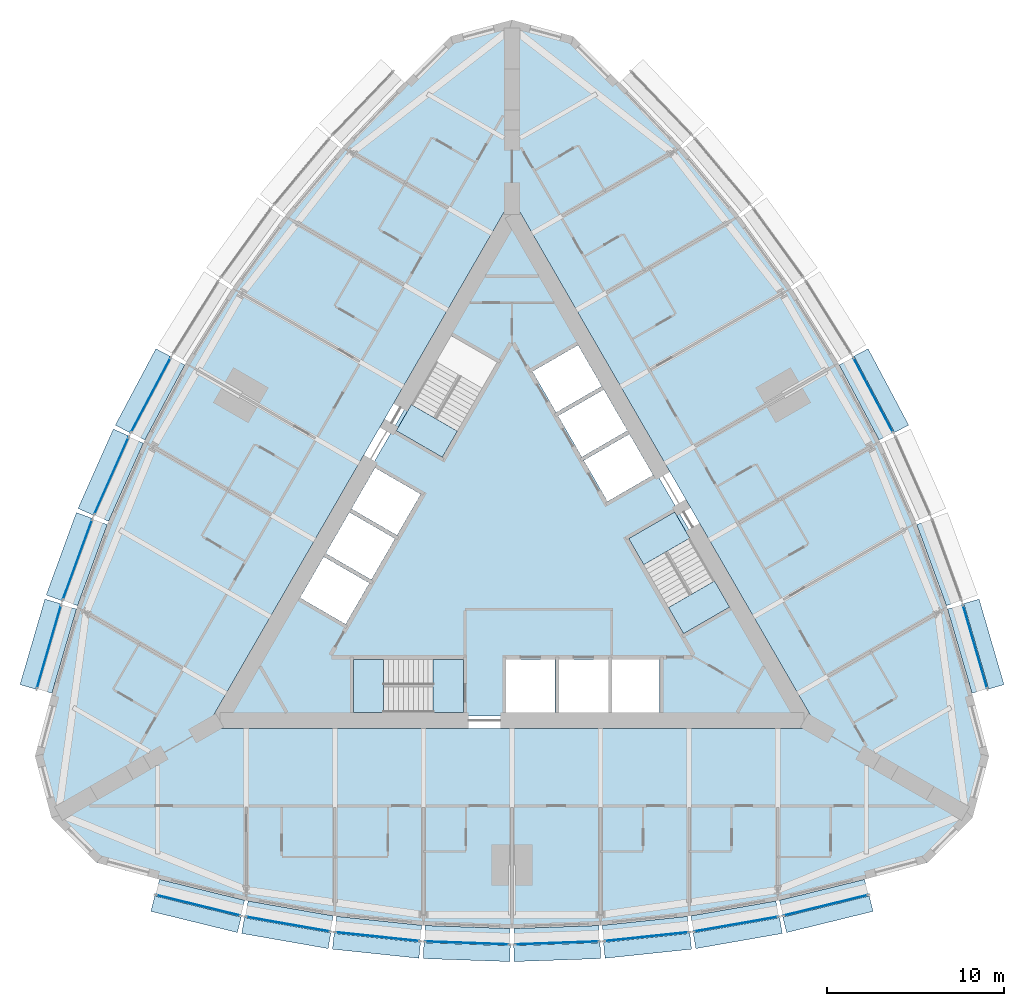
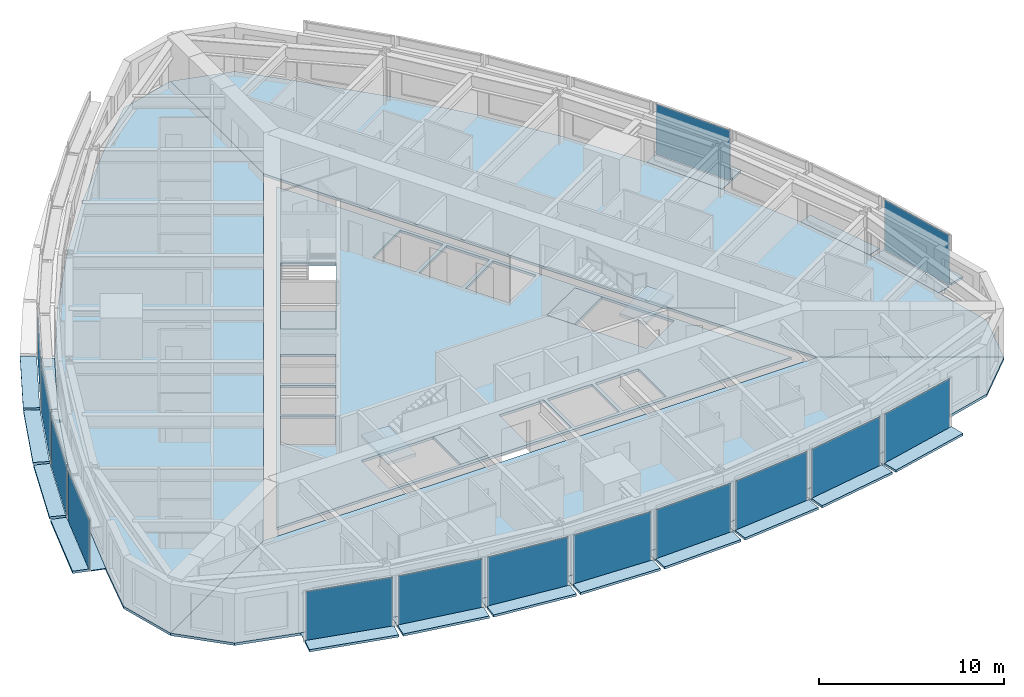
# One storey, part 6 of 14: 43 plates, 9 slabs, 17 elements without a shape of their own.
"""IFC4 building model written with IfcOpenShell, lengths in metres."""

from ifc_helpers import new_model, si_unit, direction, frame, origin, origin_2d, place, context, subcontext, project, spatial, polyline, rectangle, outline, extrude, material, layer, layer_set, type_object, element, aggregate, save


model = new_model("IFC4")

# Units and contexts
model_context = context("Model", 3, precision=1e-05, world=origin(), true_north=direction((0.0, 1.0)))
body_context = subcontext(model_context, "Body", "Model", "MODEL_VIEW")
ifc_project = project(units=[si_unit("LENGTHUNIT", "METRE"), si_unit("AREAUNIT", "SQUARE_METRE"), si_unit("VOLUMEUNIT", "CUBIC_METRE"), si_unit("PLANEANGLEUNIT", "RADIAN"), si_unit("MASSUNIT", "GRAM", prefix="KILO")], contexts=[model_context])

# Site, building, storey
site_placement = place(None, origin())
site = spatial("IfcSite", under=ifc_project, at=site_placement, CompositionType="ELEMENT")
building_placement = place(site_placement, origin())
building = spatial("IfcBuilding", under=site, at=building_placement, Name="Trikona Tower", CompositionType="ELEMENT")
storey_placement = place(building_placement, frame((0.0, 0.0, 148.699951171875)))
storey = spatial("IfcBuildingStorey", under=building, at=storey_placement, Name="L39", CompositionType="ELEMENT", Elevation=148.699951171875)

# Plates
ifc_material_1 = material(Name="Aluminium bar grating", Category="aluminium")
ifc_layer_1 = layer(ifc_material_1, 0.050048828125)
ifc_layer_set_1 = layer_set([ifc_layer_1], Name="Cavity catwalk grating")
plate_type_1 = type_object("IfcPlateType", Name="Cavity catwalk grating", PredefinedType="USERDEFINED", material=ifc_layer_set_1)
plate_1_placement = place(storey_placement, frame((-17.598876953125, -19.49072265625, -0.0498046875), z_axis=(0.0, 0.0, 1.0), x_axis=(0.971274411564, -0.237962218516, 0.0)))
element("IfcPlate", 1, at=plate_1_placement, inside=storey, type_object=plate_type_1, Name="Cavity catwalk L39-00", ObjectType="CATWALK GRATING", PredefinedType="USERDEFINED", context=body_context, shape_type="SweptSolid", body=[
    extrude(rectangle(XDim=4.947998046875, YDim=0.830078125, at=origin_2d()), origin(), (0.0, 0.0, 1.0), 0.050048828125),
])
plate_2_placement = place(storey_placement, frame((-12.571533203125, -20.54638671875, -0.0498046875), z_axis=(0.0, 0.0, 1.0), x_axis=(0.985030604067, -0.172379549401, 0.0)))
element("IfcPlate", 2, at=plate_2_placement, inside=storey, type_object=plate_type_1, Name="Cavity catwalk L39-01", ObjectType="CATWALK GRATING", PredefinedType="USERDEFINED", context=body_context, shape_type="SweptSolid", body=[
    extrude(rectangle(XDim=4.8759765625, YDim=0.830078125, at=origin_2d()), origin(), (0.0, 0.0, 1.0), 0.050048828125),
])
plate_3_placement = place(storey_placement, frame((-7.543212890625, -21.25048828125, -0.0498046875), z_axis=(0.0, 0.0, 1.0), x_axis=(0.994532653854, -0.104426052392, 0.0)))
element("IfcPlate", 3, at=plate_3_placement, inside=storey, type_object=plate_type_1, Name="Cavity catwalk L39-02", ObjectType="CATWALK GRATING", PredefinedType="USERDEFINED", context=body_context, shape_type="SweptSolid", body=[
    extrude(rectangle(XDim=4.827392578125, YDim=0.830078125, at=origin_2d()), origin(), (0.0, 0.0, 1.0), 0.050048828125),
])
for number, where, z_axis, x_axis, name in (
    (4, (-2.514404296875, -21.602294921875, -0.0498046875), (0.0, 0.0, 1.0), (0.999388082937, -0.034977988567, 0.0), "Cavity catwalk L39-03"),
    (5, (2.514404296875, -21.602294921875, -0.0498046875), (0.0, 0.0, 1.0), (0.999388082937, 0.034977988567, 0.0), "Cavity catwalk L39-04"),
):
    element("IfcPlate", number, at=place(storey_placement, frame(where, z_axis=z_axis, x_axis=x_axis)), inside=storey, type_object=plate_type_1, Name=name, ObjectType="CATWALK GRATING", PredefinedType="USERDEFINED", context=body_context, shape_type="SweptSolid", body=[
        extrude(rectangle(XDim=4.802978515625, YDim=0.830078125, at=origin_2d()), origin(), (0.0, 0.0, 1.0), 0.050048828125),
    ])
plate_4_placement = place(storey_placement, frame((7.543212890625, -21.25048828125, -0.0498046875), z_axis=(0.0, 0.0, 1.0), x_axis=(0.994532653854, 0.104426052392, 0.0)))
element("IfcPlate", 6, at=plate_4_placement, inside=storey, type_object=plate_type_1, Name="Cavity catwalk L39-05", ObjectType="CATWALK GRATING", PredefinedType="USERDEFINED", context=body_context, shape_type="SweptSolid", body=[
    extrude(rectangle(XDim=4.827392578125, YDim=0.830078125, at=origin_2d()), origin(), (0.0, 0.0, 1.0), 0.050048828125),
])
plate_5_placement = place(storey_placement, frame((12.571533203125, -20.54638671875, -0.0498046875), z_axis=(0.0, 0.0, 1.0), x_axis=(0.985030604067, 0.172379549401, 0.0)))
element("IfcPlate", 7, at=plate_5_placement, inside=storey, type_object=plate_type_1, Name="Cavity catwalk L39-06", ObjectType="CATWALK GRATING", PredefinedType="USERDEFINED", context=body_context, shape_type="SweptSolid", body=[
    extrude(rectangle(XDim=4.8759765625, YDim=0.830078125, at=origin_2d()), origin(), (0.0, 0.0, 1.0), 0.050048828125),
])
plate_6_placement = place(storey_placement, frame((17.598876953125, -19.49072265625, -0.0498046875), z_axis=(0.0, 0.0, 1.0), x_axis=(0.971274411564, 0.237962218516, 0.0)))
element("IfcPlate", 8, at=plate_6_placement, inside=storey, type_object=plate_type_1, Name="Cavity catwalk L39-07", ObjectType="CATWALK GRATING", PredefinedType="USERDEFINED", context=body_context, shape_type="SweptSolid", body=[
    extrude(rectangle(XDim=4.947998046875, YDim=0.830078125, at=origin_2d()), origin(), (0.0, 0.0, 1.0), 0.050048828125),
])
plate_7_placement = place(storey_placement, frame((25.678955078125, -5.49560546875, -0.0498046875), z_axis=(0.0, 0.0, 1.0), x_axis=(-0.279554203664, 0.960129911634, 0.0)))
element("IfcPlate", 9, at=plate_7_placement, inside=storey, type_object=plate_type_1, Name="Cavity catwalk L39-12", ObjectType="CATWALK GRATING", PredefinedType="USERDEFINED", context=body_context, shape_type="SweptSolid", body=[
    extrude(rectangle(XDim=4.94775390625, YDim=0.830078125, at=origin_2d()), origin(), (0.0, 0.0, 1.0), 0.050048828125),
])
plate_8_placement = place(storey_placement, frame((24.07958984375, -0.614013671875, -0.0498046875), z_axis=(0.0, 0.0, 1.0), x_axis=(-0.343220397324, 0.939254895575, 0.0)))
element("IfcPlate", 10, at=plate_8_placement, inside=storey, type_object=plate_type_1, Name="Cavity catwalk L39-13", ObjectType="CATWALK GRATING", PredefinedType="USERDEFINED", context=body_context, shape_type="SweptSolid", body=[
    extrude(rectangle(XDim=4.8759765625, YDim=0.830078125, at=origin_2d()), origin(), (0.0, 0.0, 1.0), 0.050048828125),
])
for number, where, z_axis, x_axis, name in (
    (11, (19.965576171875, 8.62353515625, -0.0498046875), (0.0, 0.0, 1.0), (-0.469397591494, 0.882986920118, 0.0), "Cavity catwalk L39-15"),
    (12, (-19.965576171875, 8.62353515625, -0.0498046875), (0.0, 0.0, 1.0), (-0.469397591494, -0.882986920118, 0.0), "Cavity catwalk L39-28"),
):
    element("IfcPlate", number, at=place(storey_placement, frame(where, z_axis=z_axis, x_axis=x_axis)), inside=storey, type_object=plate_type_1, Name=name, ObjectType="CATWALK GRATING", PredefinedType="USERDEFINED", context=body_context, shape_type="SweptSolid", body=[
        extrude(rectangle(XDim=4.802978515625, YDim=0.830078125, at=origin_2d()), origin(), (0.0, 0.0, 1.0), 0.050048828125),
    ])
plate_9_placement = place(storey_placement, frame((-22.175048828125, 4.092529296875, -0.0498046875), z_axis=(0.0, 0.0, 1.0), x_axis=(-0.406843467615, -0.913497888809, 0.0)))
element("IfcPlate", 13, at=plate_9_placement, inside=storey, type_object=plate_type_1, Name="Cavity catwalk L39-29", ObjectType="CATWALK GRATING", PredefinedType="USERDEFINED", context=body_context, shape_type="SweptSolid", body=[
    extrude(rectangle(XDim=4.827392578125, YDim=0.830078125, at=origin_2d()), origin(), (0.0, 0.0, 1.0), 0.050048828125),
])
plate_10_placement = place(storey_placement, frame((-24.07958984375, -0.614013671875, -0.0498046875), z_axis=(0.0, 0.0, 1.0), x_axis=(-0.343220397324, -0.939254895575, 0.0)))
element("IfcPlate", 14, at=plate_10_placement, inside=storey, type_object=plate_type_1, Name="Cavity catwalk L39-30", ObjectType="CATWALK GRATING", PredefinedType="USERDEFINED", context=body_context, shape_type="SweptSolid", body=[
    extrude(rectangle(XDim=4.8759765625, YDim=0.830078125, at=origin_2d()), origin(), (0.0, 0.0, 1.0), 0.050048828125),
])
plate_11_placement = place(storey_placement, frame((-25.678955078125, -5.49560546875, -0.0498046875), z_axis=(0.0, 0.0, 1.0), x_axis=(-0.279554203664, -0.960129911634, 0.0)))
element("IfcPlate", 15, at=plate_11_placement, inside=storey, type_object=plate_type_1, Name="Cavity catwalk L39-31", ObjectType="CATWALK GRATING", PredefinedType="USERDEFINED", context=body_context, shape_type="SweptSolid", body=[
    extrude(rectangle(XDim=4.94775390625, YDim=0.830078125, at=origin_2d()), origin(), (0.0, 0.0, 1.0), 0.050048828125),
])

# Slabs
ifc_material_2 = material(Name="Concrete f'c 5000 psi lightweight on composite steel deck", Category="concrete")
ifc_layer_2 = layer(ifc_material_2, 0.1650390625)
ifc_layer_set_2 = layer_set([ifc_layer_2], Name="Composite floor slab 165")
slab_type_1 = type_object("IfcSlabType", Name="Composite floor slab 165", PredefinedType="FLOOR", material=ifc_layer_set_2)
slab_1_placement = place(storey_placement, frame((0.0, 0.0, -0.1650390625)))
element("IfcSlab", 16, at=slab_1_placement, inside=storey, type_object=slab_type_1, Name="Floor slab L39 core", PredefinedType="FLOOR", context=body_context, shape_type="SweptSolid", body=[
    extrude(outline(polyline([(-16.06689453125, -9.2763671875), (16.06689453125, -9.2763671875), (0.0, 18.552490234375), (-16.06689453125, -9.2763671875)]), holes=[polyline([(12.285400390625, -3.126220703125), (9.185302734375, 2.2431640625), (6.587158203125, 0.7431640625), (9.687255859375, -4.626220703125), (12.285400390625, -3.126220703125)]), polyline([(8.340087890625, -9.06640625), (8.340087890625, -6.086181640625), (5.659912109375, -6.086181640625), (5.659912109375, -9.06640625), (8.340087890625, -9.06640625)]), polyline([(5.390869140625, 2.835205078125), (7.9716796875, 4.3251953125), (6.631591796875, 6.646240234375), (4.05078125, 5.15625), (5.390869140625, 2.835205078125)]), polyline([(2.600830078125, 7.667724609375), (3.94091796875, 5.3466796875), (6.521484375, 6.8369140625), (5.181640625, 9.15771484375), (2.600830078125, 7.667724609375)]), polyline([(5.43994140625, -6.086181640625), (2.659912109375, -6.086181640625), (2.659912109375, -9.06640625), (5.43994140625, -9.06640625), (5.43994140625, -6.086181640625)]), polyline([(3.731689453125, 11.669189453125), (1.15087890625, 10.17919921875), (2.490966796875, 7.858154296875), (5.071533203125, 9.34814453125), (3.731689453125, 11.669189453125)]), polyline([(-0.340087890625, -6.086181640625), (-0.340087890625, -9.06640625), (2.43994140625, -9.06640625), (2.43994140625, -6.086181640625), (-0.340087890625, -6.086181640625)]), polyline([(-3.435302734375, 12.202392578125), (-6.535400390625, 6.8330078125), (-3.937255859375, 5.3330078125), (-0.837158203125, 10.702392578125), (-3.435302734375, 12.202392578125)]), polyline([(-8.949951171875, -9.076416015625), (-2.75, -9.076416015625), (-2.75, -6.076416015625), (-8.949951171875, -6.076416015625), (-8.949951171875, -9.076416015625)]), polyline([(-5.15087890625, 3.2509765625), (-7.731689453125, 4.740966796875), (-9.071533203125, 2.419921875), (-6.490966796875, 0.929931640625), (-5.15087890625, 3.2509765625)]), polyline([(-7.94091796875, -1.581298828125), (-6.600830078125, 0.739501953125), (-9.181640625, 2.2294921875), (-10.521484375, -0.09130859375), (-7.94091796875, -1.581298828125)]), polyline([(-11.9716796875, -2.602783203125), (-9.390869140625, -4.093017578125), (-8.05078125, -1.77197265625), (-10.631591796875, -0.281982421875), (-11.9716796875, -2.602783203125)])]), origin(), (0.0, 0.0, 1.0), 0.1650390625),
])
slab_2_placement = place(storey_placement, frame((0.0, 0.0, -0.1650390625)))
element("IfcSlab", 17, at=slab_2_placement, inside=storey, type_object=slab_type_1, Name="Floor slab L39 south", PredefinedType="FLOOR", context=body_context, shape_type="SweptSolid", body=[
    extrude(outline(polyline([(23.464111328125, -17.547119140625), (26.0, -15.010986328125), (17.279296875, -9.976318359375), (-17.279296875, -9.976318359375), (-26.0, -15.010986328125), (-23.464111328125, -17.547119140625), (-20.0, -18.47509765625), (-15.0, -19.7001953125), (-10.0, -20.5751953125), (-5.0, -21.10009765625), (0.0, -21.275146484375), (5.0, -21.10009765625), (10.0, -20.5751953125), (15.0, -19.7001953125), (20.0, -18.47509765625), (23.464111328125, -17.547119140625)])), origin(), (0.0, 0.0, 1.0), 0.1650390625),
])
slab_3_placement = place(storey_placement, frame((0.0, 0.0, -0.1650390625)))
element("IfcSlab", 18, at=slab_3_placement, inside=storey, type_object=slab_type_1, Name="Floor slab L39 north-east", PredefinedType="FLOOR", context=body_context, shape_type="SweptSolid", body=[
    extrude(outline(polyline([(3.464111328125, 29.093994140625), (0.0, 30.022216796875), (0.0, 19.95263671875), (17.279296875, -9.976318359375), (26.0, -15.010986328125), (26.92822265625, -11.547119140625), (26.0, -8.0830078125), (24.560791015625, -3.140380859375), (22.818603515625, 1.62744140625), (20.773193359375, 6.219970703125), (18.4248046875, 10.6376953125), (15.773193359375, 14.880126953125), (12.818603515625, 18.947998046875), (9.560791015625, 22.840576171875), (6.0, 26.55810546875), (3.464111328125, 29.093994140625)])), origin(), (0.0, 0.0, 1.0), 0.1650390625),
])
slab_4_placement = place(storey_placement, frame((0.0, 0.0, -0.1650390625)))
element("IfcSlab", 19, at=slab_4_placement, inside=storey, type_object=slab_type_1, Name="Floor slab L39 north-west", PredefinedType="FLOOR", context=body_context, shape_type="SweptSolid", body=[
    extrude(outline(polyline([(0.0, 19.95263671875), (0.0, 30.022216796875), (-3.464111328125, 29.093994140625), (-6.0, 26.55810546875), (-9.560791015625, 22.840576171875), (-12.818603515625, 18.947998046875), (-15.773193359375, 14.880126953125), (-18.4248046875, 10.6376953125), (-20.773193359375, 6.219970703125), (-22.818603515625, 1.62744140625), (-24.560791015625, -3.140380859375), (-26.0, -8.0830078125), (-26.92822265625, -11.547119140625), (-26.0, -15.010986328125), (-17.279296875, -9.976318359375), (0.0, 19.95263671875)])), origin(), (0.0, 0.0, 1.0), 0.1650390625),
])

# Curtain wall, plate
ifc_material_3 = material(Name="Aluminium curtain wall system", Category="aluminium")
curtain_wall_type = type_object("IfcCurtainWallType", Name="Curtain wall DS2", PredefinedType="NOTDEFINED", material=ifc_material_3)
curtain_wall_1_placement = place(storey_placement, origin())
curtain_wall_1 = element("IfcCurtainWall", 20, at=curtain_wall_1_placement, inside=storey, type_object=curtain_wall_type, Name="Curtain wall DS2 L39", PredefinedType="NOTDEFINED")
ifc_material_4 = material(Name="Laminated clear glass", Category="glass")
ifc_layer_3 = layer(ifc_material_4, 0.028076171875)
ifc_layer_set_3 = layer_set([ifc_layer_3], Name="Glass panel DS2")
plate_type_2 = type_object("IfcPlateType", Name="Glass panel DS2", PredefinedType="CURTAIN_PANEL", material=ifc_layer_set_3)
plate_12_placement = place(storey_placement, frame((-17.714111328125, -19.9619140625, 0.0), z_axis=(0.0, 0.0, 1.0), x_axis=(0.971272455026, -0.237970204243, 0.0)))
plate_12 = element("IfcPlate", 21, at=plate_12_placement, type_object=plate_type_2, Name="CW-DS2 panel 1.1", PredefinedType="CURTAIN_PANEL", context=body_context, shape_type="SweptSolid", body=[
    extrude(rectangle(XDim=4.867919921875, YDim=0.028076171875, at=origin_2d()), origin(), (0.0, 0.0, 1.0), 3.320068359375),
])
aggregate(curtain_wall_1, [plate_12])

curtain_wall_2_placement = place(storey_placement, origin())
curtain_wall_2 = element("IfcCurtainWall", 22, at=curtain_wall_2_placement, inside=storey, type_object=curtain_wall_type, Name="Curtain wall DS2 L39", PredefinedType="NOTDEFINED")
plate_13_placement = place(storey_placement, frame((-12.655029296875, -21.024169921875, 0.0), z_axis=(0.0, 0.0, 1.0), x_axis=(0.985030981074, -0.17237739505, 0.0)))
plate_13 = element("IfcPlate", 23, at=plate_13_placement, type_object=plate_type_2, Name="CW-DS2 panel 1.1", PredefinedType="CURTAIN_PANEL", context=body_context, shape_type="SweptSolid", body=[
    extrude(rectangle(XDim=4.7958984375, YDim=0.028076171875, at=origin_2d()), origin(), (0.0, 0.0, 1.0), 3.320068359375),
])
aggregate(curtain_wall_2, [plate_13])

curtain_wall_3_placement = place(storey_placement, origin())
curtain_wall_3 = element("IfcCurtainWall", 24, at=curtain_wall_3_placement, inside=storey, type_object=curtain_wall_type, Name="Curtain wall DS2 L39", PredefinedType="NOTDEFINED")
plate_14_placement = place(storey_placement, frame((-7.593994140625, -21.732666015625, 0.0), z_axis=(0.0, 0.0, 1.0), x_axis=(0.994531883654, -0.104433387357, 0.0)))
plate_14 = element("IfcPlate", 25, at=plate_14_placement, type_object=plate_type_2, Name="CW-DS2 panel 1.1", PredefinedType="CURTAIN_PANEL", context=body_context, shape_type="SweptSolid", body=[
    extrude(rectangle(XDim=4.747314453125, YDim=0.028076171875, at=origin_2d()), origin(), (0.0, 0.0, 1.0), 3.320068359375),
])
aggregate(curtain_wall_3, [plate_14])

curtain_wall_4_placement = place(storey_placement, origin())
curtain_wall_4 = element("IfcCurtainWall", 26, at=curtain_wall_4_placement, inside=storey, type_object=curtain_wall_type, Name="Curtain wall DS2 L39", PredefinedType="NOTDEFINED")
plate_15_placement = place(storey_placement, frame((-2.531494140625, -22.087158203125, 0.0), z_axis=(0.0, 0.0, 1.0), x_axis=(0.99938737114, -0.034998320052, 0.0)))
plate_15 = element("IfcPlate", 27, at=plate_15_placement, type_object=plate_type_2, Name="CW-DS2 panel 1.1", PredefinedType="CURTAIN_PANEL", context=body_context, shape_type="SweptSolid", body=[
    extrude(rectangle(XDim=4.72314453125, YDim=0.028076171875, at=origin_2d()), origin(), (0.0, 0.0, 1.0), 3.320068359375),
])
aggregate(curtain_wall_4, [plate_15])

curtain_wall_5_placement = place(storey_placement, origin())
curtain_wall_5 = element("IfcCurtainWall", 28, at=curtain_wall_5_placement, inside=storey, type_object=curtain_wall_type, Name="Curtain wall DS2 L39", PredefinedType="NOTDEFINED")
plate_16_placement = place(storey_placement, frame((2.531494140625, -22.087158203125, 0.0), z_axis=(0.0, 0.0, 1.0), x_axis=(0.99938737114, 0.034998320052, 0.0)))
plate_16 = element("IfcPlate", 29, at=plate_16_placement, type_object=plate_type_2, Name="CW-DS2 panel 1.1", PredefinedType="CURTAIN_PANEL", context=body_context, shape_type="SweptSolid", body=[
    extrude(rectangle(XDim=4.72314453125, YDim=0.028076171875, at=origin_2d()), origin(), (0.0, 0.0, 1.0), 3.320068359375),
])
aggregate(curtain_wall_5, [plate_16])

curtain_wall_6_placement = place(storey_placement, origin())
curtain_wall_6 = element("IfcCurtainWall", 30, at=curtain_wall_6_placement, inside=storey, type_object=curtain_wall_type, Name="Curtain wall DS2 L39", PredefinedType="NOTDEFINED")
plate_17_placement = place(storey_placement, frame((7.593994140625, -21.732666015625, 0.0), z_axis=(0.0, 0.0, 1.0), x_axis=(0.994531883654, 0.104433387357, 0.0)))
plate_17 = element("IfcPlate", 31, at=plate_17_placement, type_object=plate_type_2, Name="CW-DS2 panel 1.1", PredefinedType="CURTAIN_PANEL", context=body_context, shape_type="SweptSolid", body=[
    extrude(rectangle(XDim=4.747314453125, YDim=0.028076171875, at=origin_2d()), origin(), (0.0, 0.0, 1.0), 3.320068359375),
])
aggregate(curtain_wall_6, [plate_17])

curtain_wall_7_placement = place(storey_placement, origin())
curtain_wall_7 = element("IfcCurtainWall", 32, at=curtain_wall_7_placement, inside=storey, type_object=curtain_wall_type, Name="Curtain wall DS2 L39", PredefinedType="NOTDEFINED")
plate_18_placement = place(storey_placement, frame((12.655029296875, -21.024169921875, 0.0), z_axis=(0.0, 0.0, 1.0), x_axis=(0.985030981074, 0.17237739505, 0.0)))
plate_18 = element("IfcPlate", 33, at=plate_18_placement, type_object=plate_type_2, Name="CW-DS2 panel 1.1", PredefinedType="CURTAIN_PANEL", context=body_context, shape_type="SweptSolid", body=[
    extrude(rectangle(XDim=4.7958984375, YDim=0.028076171875, at=origin_2d()), origin(), (0.0, 0.0, 1.0), 3.320068359375),
])
aggregate(curtain_wall_7, [plate_18])

curtain_wall_8_placement = place(storey_placement, origin())
curtain_wall_8 = element("IfcCurtainWall", 34, at=curtain_wall_8_placement, inside=storey, type_object=curtain_wall_type, Name="Curtain wall DS2 L39", PredefinedType="NOTDEFINED")
plate_19_placement = place(storey_placement, frame((17.714111328125, -19.9619140625, 0.0), z_axis=(0.0, 0.0, 1.0), x_axis=(0.971272455026, 0.237970204243, 0.0)))
plate_19 = element("IfcPlate", 35, at=plate_19_placement, type_object=plate_type_2, Name="CW-DS2 panel 1.1", PredefinedType="CURTAIN_PANEL", context=body_context, shape_type="SweptSolid", body=[
    extrude(rectangle(XDim=4.867919921875, YDim=0.028076171875, at=origin_2d()), origin(), (0.0, 0.0, 1.0), 3.320068359375),
])
aggregate(curtain_wall_8, [plate_19])

curtain_wall_9_placement = place(storey_placement, origin())
curtain_wall_9 = element("IfcCurtainWall", 36, at=curtain_wall_9_placement, inside=storey, type_object=curtain_wall_type, Name="Curtain wall DS2 L39", PredefinedType="NOTDEFINED")
plate_20_placement = place(storey_placement, frame((26.14453125, -5.360107421875, 0.0), z_axis=(0.0, 0.0, 1.0), x_axis=(-0.279543247757, 0.96013310152, 0.0)))
plate_20 = element("IfcPlate", 37, at=plate_20_placement, type_object=plate_type_2, Name="CW-DS2 panel 1.1", PredefinedType="CURTAIN_PANEL", context=body_context, shape_type="SweptSolid", body=[
    extrude(rectangle(XDim=4.867919921875, YDim=0.028076171875, at=origin_2d()), origin(), (0.0, 0.0, 1.0), 3.320068359375),
])
aggregate(curtain_wall_9, [plate_20])

curtain_wall_10_placement = place(storey_placement, origin())
curtain_wall_10 = element("IfcCurtainWall", 38, at=curtain_wall_10_placement, inside=storey, type_object=curtain_wall_type, Name="Curtain wall DS2 L39", PredefinedType="NOTDEFINED")
plate_21_placement = place(storey_placement, frame((20.393798828125, 8.851318359375, 0.0), z_axis=(0.0, 0.0, 1.0), x_axis=(-0.469380308937, 0.882996107343, 0.0)))
plate_21 = element("IfcPlate", 39, at=plate_21_placement, type_object=plate_type_2, Name="CW-DS2 panel 1.1", PredefinedType="CURTAIN_PANEL", context=body_context, shape_type="SweptSolid", body=[
    extrude(rectangle(XDim=4.72314453125, YDim=0.028076171875, at=origin_2d()), origin(), (0.0, 0.0, 1.0), 3.320068359375),
])
aggregate(curtain_wall_10, [plate_21])

curtain_wall_11_placement = place(storey_placement, origin())
curtain_wall_11 = element("IfcCurtainWall", 40, at=curtain_wall_11_placement, inside=storey, type_object=curtain_wall_type, Name="Curtain wall DS2 L39", PredefinedType="NOTDEFINED")
plate_22_placement = place(storey_placement, frame((-20.393798828125, 8.851318359375, 0.0), z_axis=(0.0, 0.0, 1.0), x_axis=(-0.469380308937, -0.882996107343, 0.0)))
plate_22 = element("IfcPlate", 41, at=plate_22_placement, type_object=plate_type_2, Name="CW-DS2 panel 1.1", PredefinedType="CURTAIN_PANEL", context=body_context, shape_type="SweptSolid", body=[
    extrude(rectangle(XDim=4.72314453125, YDim=0.028076171875, at=origin_2d()), origin(), (0.0, 0.0, 1.0), 3.320068359375),
])
aggregate(curtain_wall_11, [plate_22])

curtain_wall_12_placement = place(storey_placement, origin())
curtain_wall_12 = element("IfcCurtainWall", 42, at=curtain_wall_12_placement, inside=storey, type_object=curtain_wall_type, Name="Curtain wall DS2 L39", PredefinedType="NOTDEFINED")
plate_23_placement = place(storey_placement, frame((-22.6181640625, 4.289794921875, 0.0), z_axis=(0.0, 0.0, 1.0), x_axis=(-0.406836013132, -0.913501208767, 0.0)))
plate_23 = element("IfcPlate", 43, at=plate_23_placement, type_object=plate_type_2, Name="CW-DS2 panel 1.1", PredefinedType="CURTAIN_PANEL", context=body_context, shape_type="SweptSolid", body=[
    extrude(rectangle(XDim=4.747314453125, YDim=0.028076171875, at=origin_2d()), origin(), (0.0, 0.0, 1.0), 3.320068359375),
])
aggregate(curtain_wall_12, [plate_23])

curtain_wall_13_placement = place(storey_placement, origin())
curtain_wall_13 = element("IfcCurtainWall", 44, at=curtain_wall_13_placement, inside=storey, type_object=curtain_wall_type, Name="Curtain wall DS2 L39", PredefinedType="NOTDEFINED")
plate_24_placement = place(storey_placement, frame((-24.53515625, -0.447509765625, 0.0), z_axis=(0.0, 0.0, 1.0), x_axis=(-0.343223420143, -0.939253790978, 0.0)))
plate_24 = element("IfcPlate", 45, at=plate_24_placement, type_object=plate_type_2, Name="CW-DS2 panel 1.1", PredefinedType="CURTAIN_PANEL", context=body_context, shape_type="SweptSolid", body=[
    extrude(rectangle(XDim=4.7958984375, YDim=0.028076171875, at=origin_2d()), origin(), (0.0, 0.0, 1.0), 3.320068359375),
])
aggregate(curtain_wall_13, [plate_24])

curtain_wall_14_placement = place(storey_placement, origin())
curtain_wall_14 = element("IfcCurtainWall", 46, at=curtain_wall_14_placement, inside=storey, type_object=curtain_wall_type, Name="Curtain wall DS2 L39", PredefinedType="NOTDEFINED")
plate_25_placement = place(storey_placement, frame((-26.14453125, -5.360107421875, 0.0), z_axis=(0.0, 0.0, 1.0), x_axis=(-0.279543247757, -0.96013310152, 0.0)))
plate_25 = element("IfcPlate", 47, at=plate_25_placement, type_object=plate_type_2, Name="CW-DS2 panel 1.1", PredefinedType="CURTAIN_PANEL", context=body_context, shape_type="SweptSolid", body=[
    extrude(rectangle(XDim=4.867919921875, YDim=0.028076171875, at=origin_2d()), origin(), (0.0, 0.0, 1.0), 3.320068359375),
])
aggregate(curtain_wall_14, [plate_25])

# Plates
ifc_material_5 = material(Name="Aluminium plate fin, pale anodised, on stainless steel outriggers", Category="steel")
ifc_layer_4 = layer(ifc_material_5, 0.14990234375)
ifc_layer_set_4 = layer_set([ifc_layer_4], Name="Outer skin fin 900")
plate_type_3 = type_object("IfcPlateType", Name="Outer skin fin 900", PredefinedType="USERDEFINED", material=ifc_layer_set_4)
plate_26_placement = place(storey_placement, frame((-17.837890625, -20.466796875, 0.0), z_axis=(0.0, 0.0, 1.0), x_axis=(0.971274411564, -0.237962218516, 0.0)))
element("IfcPlate", 48, at=plate_26_placement, inside=storey, type_object=plate_type_3, Name="Outer skin fin L39-00", ObjectType="FIN", PredefinedType="USERDEFINED", context=body_context, shape_type="SweptSolid", body=[
    extrude(rectangle(XDim=5.02783203125, YDim=0.89990234375, at=origin_2d()), origin(), (0.0, 0.0, 1.0), 0.14990234375),
])
plate_27_placement = place(storey_placement, frame((-12.744873046875, -21.536376953125, 0.0), z_axis=(0.0, 0.0, 1.0), x_axis=(0.985030604067, -0.172379549401, 0.0)))
element("IfcPlate", 49, at=plate_27_placement, inside=storey, type_object=plate_type_3, Name="Outer skin fin L39-01", ObjectType="FIN", PredefinedType="USERDEFINED", context=body_context, shape_type="SweptSolid", body=[
    extrude(rectangle(XDim=4.9560546875, YDim=0.89990234375, at=origin_2d()), origin(), (0.0, 0.0, 1.0), 0.14990234375),
])
plate_28_placement = place(storey_placement, frame((-7.648193359375, -22.25, 0.0), z_axis=(0.0, 0.0, 1.0), x_axis=(0.994532653854, -0.104426052392, 0.0)))
element("IfcPlate", 50, at=plate_28_placement, inside=storey, type_object=plate_type_3, Name="Outer skin fin L39-02", ObjectType="FIN", PredefinedType="USERDEFINED", context=body_context, shape_type="SweptSolid", body=[
    extrude(rectangle(XDim=4.907470703125, YDim=0.89990234375, at=origin_2d()), origin(), (0.0, 0.0, 1.0), 0.14990234375),
])
for number, where, z_axis, x_axis, name in (
    (51, (-2.5498046875, -22.606689453125, 0.0), (0.0, 0.0, 1.0), (0.999388082937, -0.034977988567, 0.0), "Outer skin fin L39-03"),
    (52, (2.5498046875, -22.606689453125, 0.0), (0.0, 0.0, 1.0), (0.999388082937, 0.034977988567, 0.0), "Outer skin fin L39-04"),
):
    element("IfcPlate", number, at=place(storey_placement, frame(where, z_axis=z_axis, x_axis=x_axis)), inside=storey, type_object=plate_type_3, Name=name, ObjectType="FIN", PredefinedType="USERDEFINED", context=body_context, shape_type="SweptSolid", body=[
        extrude(rectangle(XDim=4.883056640625, YDim=0.89990234375, at=origin_2d()), origin(), (0.0, 0.0, 1.0), 0.14990234375),
    ])
plate_29_placement = place(storey_placement, frame((7.648193359375, -22.25, 0.0), z_axis=(0.0, 0.0, 1.0), x_axis=(0.994532653854, 0.104426052392, 0.0)))
element("IfcPlate", 53, at=plate_29_placement, inside=storey, type_object=plate_type_3, Name="Outer skin fin L39-05", ObjectType="FIN", PredefinedType="USERDEFINED", context=body_context, shape_type="SweptSolid", body=[
    extrude(rectangle(XDim=4.907470703125, YDim=0.89990234375, at=origin_2d()), origin(), (0.0, 0.0, 1.0), 0.14990234375),
])
plate_30_placement = place(storey_placement, frame((12.744873046875, -21.536376953125, 0.0), z_axis=(0.0, 0.0, 1.0), x_axis=(0.985030604067, 0.172379549401, 0.0)))
element("IfcPlate", 54, at=plate_30_placement, inside=storey, type_object=plate_type_3, Name="Outer skin fin L39-06", ObjectType="FIN", PredefinedType="USERDEFINED", context=body_context, shape_type="SweptSolid", body=[
    extrude(rectangle(XDim=4.9560546875, YDim=0.89990234375, at=origin_2d()), origin(), (0.0, 0.0, 1.0), 0.14990234375),
])
for number, where, z_axis, x_axis, name in (
    (55, (17.837890625, -20.466796875, 0.0), (0.0, 0.0, 1.0), (0.971274411564, 0.237962218516, 0.0), "Outer skin fin L39-07"),
    (56, (26.643798828125, -5.214599609375, 0.0), (0.0, 0.0, 1.0), (-0.279554203664, 0.960129911634, 0.0), "Outer skin fin L39-12"),
):
    element("IfcPlate", number, at=place(storey_placement, frame(where, z_axis=z_axis, x_axis=x_axis)), inside=storey, type_object=plate_type_3, Name=name, ObjectType="FIN", PredefinedType="USERDEFINED", context=body_context, shape_type="SweptSolid", body=[
        extrude(rectangle(XDim=5.02783203125, YDim=0.89990234375, at=origin_2d()), origin(), (0.0, 0.0, 1.0), 0.14990234375),
    ])
for number, where, z_axis, x_axis, name in (
    (57, (20.852783203125, 9.09521484375, 0.0), (0.0, 0.0, 1.0), (-0.469397591494, 0.882986920118, 0.0), "Outer skin fin L39-15"),
    (58, (-20.852783203125, 9.09521484375, 0.0), (0.0, 0.0, 1.0), (-0.469397591494, -0.882986920118, 0.0), "Outer skin fin L39-28"),
):
    element("IfcPlate", number, at=place(storey_placement, frame(where, z_axis=z_axis, x_axis=x_axis)), inside=storey, type_object=plate_type_3, Name=name, ObjectType="FIN", PredefinedType="USERDEFINED", context=body_context, shape_type="SweptSolid", body=[
        extrude(rectangle(XDim=4.883056640625, YDim=0.89990234375, at=origin_2d()), origin(), (0.0, 0.0, 1.0), 0.14990234375),
    ])
plate_31_placement = place(storey_placement, frame((-23.09326171875, 4.50146484375, 0.0), z_axis=(0.0, 0.0, 1.0), x_axis=(-0.406843467615, -0.913497888809, 0.0)))
element("IfcPlate", 59, at=plate_31_placement, inside=storey, type_object=plate_type_3, Name="Outer skin fin L39-29", ObjectType="FIN", PredefinedType="USERDEFINED", context=body_context, shape_type="SweptSolid", body=[
    extrude(rectangle(XDim=4.907470703125, YDim=0.89990234375, at=origin_2d()), origin(), (0.0, 0.0, 1.0), 0.14990234375),
])
plate_32_placement = place(storey_placement, frame((-25.0234375, -0.26904296875, 0.0), z_axis=(0.0, 0.0, 1.0), x_axis=(-0.343220397324, -0.939254895575, 0.0)))
element("IfcPlate", 60, at=plate_32_placement, inside=storey, type_object=plate_type_3, Name="Outer skin fin L39-30", ObjectType="FIN", PredefinedType="USERDEFINED", context=body_context, shape_type="SweptSolid", body=[
    extrude(rectangle(XDim=4.9560546875, YDim=0.89990234375, at=origin_2d()), origin(), (0.0, 0.0, 1.0), 0.14990234375),
])
plate_33_placement = place(storey_placement, frame((-26.643798828125, -5.214599609375, 0.0), z_axis=(0.0, 0.0, 1.0), x_axis=(-0.279554203664, -0.960129911634, 0.0)))
element("IfcPlate", 61, at=plate_33_placement, inside=storey, type_object=plate_type_3, Name="Outer skin fin L39-31", ObjectType="FIN", PredefinedType="USERDEFINED", context=body_context, shape_type="SweptSolid", body=[
    extrude(rectangle(XDim=5.02783203125, YDim=0.89990234375, at=origin_2d()), origin(), (0.0, 0.0, 1.0), 0.14990234375),
])

# Stair, slabs
ifc_material_6 = material(Name="Concrete f'c 5000 psi", Category="concrete")
stair_type = type_object("IfcStairType", Name="Core stair", PredefinedType="HALF_TURN_STAIR", material=ifc_material_6)
stair_1_placement = place(storey_placement, origin())
stair_1 = element("IfcStair", 62, at=stair_1_placement, inside=storey, type_object=stair_type, Name="Stair A L39", PredefinedType="HALF_TURN_STAIR")
ifc_material_7 = material(Name="Concrete f'c 5000 psi", Category="concrete")
ifc_layer_5 = layer(ifc_material_7, 0.199951171875)
ifc_layer_set_5 = layer_set([ifc_layer_5], Name="Stair landing 200")
slab_type_2 = type_object("IfcSlabType", Name="Stair landing 200", PredefinedType="LANDING", material=ifc_layer_set_5)
slab_5_placement = place(storey_placement, frame((0.0, 0.0, -0.199951171875)))
slab_5 = element("IfcSlab", 63, at=slab_5_placement, type_object=slab_type_2, Name="ST-A landing 1", PredefinedType="LANDING", context=body_context, shape_type="SweptSolid", body=[
    extrude(outline(polyline([(-4.452880859375, -6.076416015625), (-2.75, -6.076416015625), (-2.75, -9.076416015625), (-4.452880859375, -9.076416015625), (-4.452880859375, -6.076416015625)])), origin(), (0.0, 0.0, 1.0), 0.199951171875),
])
slab_6_placement = place(storey_placement, frame((0.0, 0.0, 1.5)))
slab_6 = element("IfcSlab", 64, at=slab_6_placement, type_object=slab_type_2, Name="ST-A landing 2", PredefinedType="LANDING", context=body_context, shape_type="SweptSolid", body=[
    extrude(outline(polyline([(-8.949951171875, -6.076416015625), (-7.2470703125, -6.076416015625), (-7.2470703125, -9.076416015625), (-8.949951171875, -9.076416015625), (-8.949951171875, -6.076416015625)])), origin(), (0.0, 0.0, 1.0), 0.199951171875),
])
aggregate(stair_1, [slab_5, slab_6])

stair_2_placement = place(storey_placement, origin())
stair_2 = element("IfcStair", 65, at=stair_2_placement, inside=storey, type_object=stair_type, Name="Stair B L39", PredefinedType="HALF_TURN_STAIR")
slab_7_placement = place(storey_placement, frame((0.0, 0.0, -0.199951171875)))
slab_7 = element("IfcSlab", 66, at=slab_7_placement, type_object=slab_type_2, Name="ST-B landing 1", PredefinedType="LANDING", context=body_context, shape_type="SweptSolid", body=[
    extrude(outline(polyline([(7.438720703125, -0.731689453125), (6.587158203125, 0.7431640625), (9.185302734375, 2.2431640625), (10.036865234375, 0.768310546875), (7.438720703125, -0.731689453125)])), origin(), (0.0, 0.0, 1.0), 0.199951171875),
])
slab_8_placement = place(storey_placement, frame((0.0, 0.0, 1.5)))
slab_8 = element("IfcSlab", 67, at=slab_8_placement, type_object=slab_type_2, Name="ST-B landing 2", PredefinedType="LANDING", context=body_context, shape_type="SweptSolid", body=[
    extrude(outline(polyline([(9.687255859375, -4.626220703125), (8.835693359375, -3.1513671875), (11.433837890625, -1.6513671875), (12.285400390625, -3.126220703125), (9.687255859375, -4.626220703125)])), origin(), (0.0, 0.0, 1.0), 0.199951171875),
])
aggregate(stair_2, [slab_7, slab_8])

# Stair, slab
stair_3_placement = place(storey_placement, origin())
stair_3 = element("IfcStair", 68, at=stair_3_placement, inside=storey, type_object=stair_type, Name="Stair C L39", PredefinedType="HALF_TURN_STAIR")
slab_9_placement = place(storey_placement, frame((0.0, 0.0, -0.199951171875)))
slab_9 = element("IfcSlab", 69, at=slab_9_placement, type_object=slab_type_2, Name="ST-C landing 1", PredefinedType="LANDING", context=body_context, shape_type="SweptSolid", body=[
    extrude(outline(polyline([(-3.085693359375, 6.807861328125), (-3.937255859375, 5.3330078125), (-6.535400390625, 6.8330078125), (-5.683837890625, 8.307861328125), (-3.085693359375, 6.807861328125)])), origin(), (0.0, 0.0, 1.0), 0.199951171875),
])
aggregate(stair_3, [slab_9])

save(model, "model.ifc")
